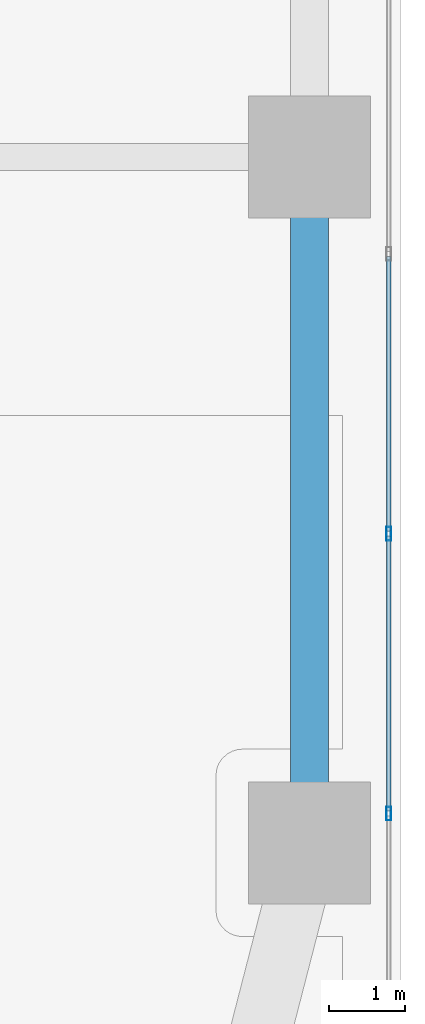
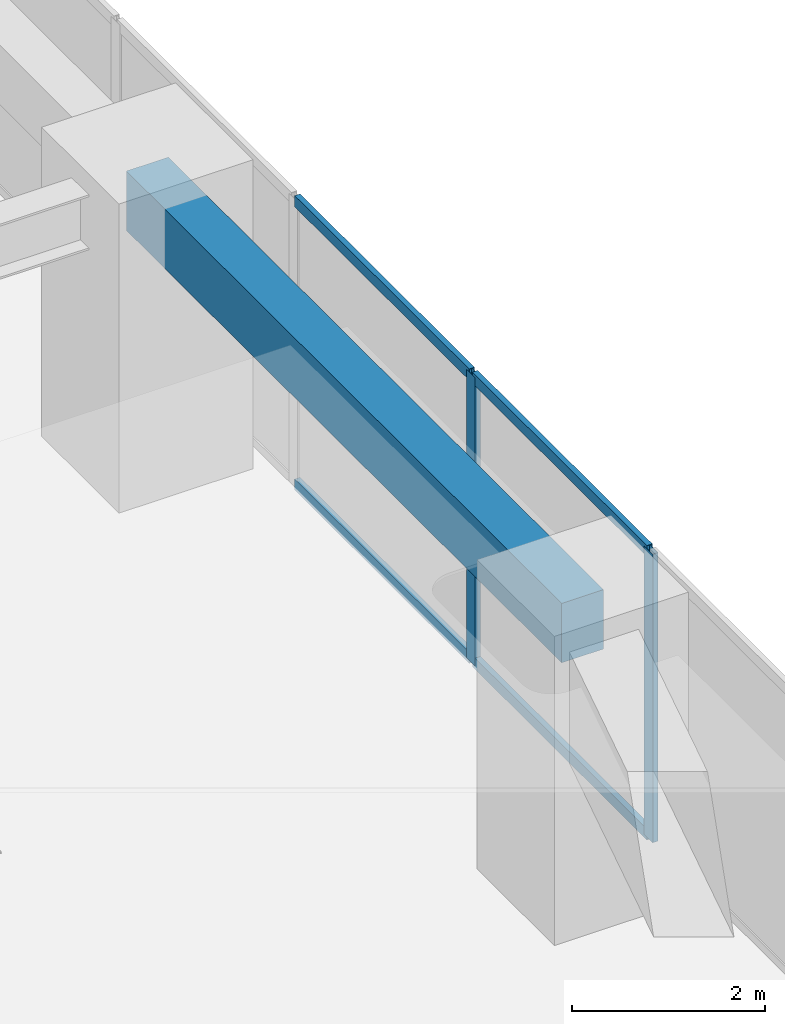
# One storey, part 6 of 28: 6 members, 1 beam, 1 element without a shape of its own.
"""IFC4 building model written with IfcOpenShell, lengths in metres."""

from ifc_helpers import new_model, si_unit, direction, frame, origin, origin_2d, place, context, subcontext, project, spatial, rectangle, hollow_rectangle, extrude, material, layer, layer_set, material_profile, profile_set, type_object, element, aggregate, save


model = new_model("IFC4")

# Units and contexts
model_context = context("Model", 3, precision=1e-05, world=origin(), true_north=direction((0.0, 1.0)))
body_context = subcontext(model_context, "Body", "Model", "MODEL_VIEW")
ifc_project = project(units=[si_unit("LENGTHUNIT", "METRE"), si_unit("AREAUNIT", "SQUARE_METRE"), si_unit("VOLUMEUNIT", "CUBIC_METRE"), si_unit("PLANEANGLEUNIT", "RADIAN"), si_unit("MASSUNIT", "GRAM", prefix="KILO")], contexts=[model_context])

# Site, building, storey
site_placement = place(None, origin())
site = spatial("IfcSite", under=ifc_project, at=site_placement, CompositionType="ELEMENT")
building_placement = place(site_placement, origin())
building = spatial("IfcBuilding", under=site, at=building_placement, Name="Kiyonajd Concourse Tower", CompositionType="ELEMENT")
storey_placement = place(building_placement, frame((0.0, 0.0, 60.60009765625)))
storey = spatial("IfcBuildingStorey", under=building, at=storey_placement, Name="L16", CompositionType="ELEMENT", Elevation=60.60009765625)

# Beam
ifc_material_1 = material(Name="Precast concrete C50/60", Category="concrete")
ifc_material_profile_1 = material_profile(ifc_material_1, rectangle(XDim=0.5, YDim=0.75, at=origin_2d()), Name="RCBM-500x750")
ifc_profile_set_1 = profile_set([ifc_material_profile_1], Name="Precast concrete C50/60")
beam_type = type_object("IfcBeamType", Name="BM-SPAN-RC", PredefinedType="SPANDREL", material=ifc_profile_set_1)
beam_placement = place(storey_placement, frame((78.0, 18.60009765625, 3.264892578125), z_axis=(0.0, 1.0, 0.0), x_axis=(-1.0, 0.0, 0.0)))
element("IfcBeam", 1, at=beam_placement, inside=storey, type_object=beam_type, Name="L16 Perimeter Bundled Tube Spandrel", PredefinedType="SPANDREL", context=body_context, shape_type="SweptSolid", body=[
    extrude(rectangle(XDim=0.5, YDim=0.75, at=origin_2d()), origin(), (0.0, 0.0, 1.0), 9.0),
])

# Curtain wall, members
ifc_material_2 = material(Name="Thermally Broken Anodised Aluminium", Category="aluminium")
ifc_layer = layer(ifc_material_2, 0.179931640625)
ifc_layer_set = layer_set([ifc_layer], Name="Thermally Broken Anodised Aluminium")
curtain_wall_type = type_object("IfcCurtainWallType", Name="CW-SYS-02", PredefinedType="NOTDEFINED", material=ifc_layer_set)
curtain_wall_placement = place(storey_placement, origin())
curtain_wall = element("IfcCurtainWall", 2, at=curtain_wall_placement, inside=storey, type_object=curtain_wall_type, Name="L16 Unitised Curtain Wall CW2", PredefinedType="NOTDEFINED")
ifc_material_profile_2 = material_profile(ifc_material_2, hollow_rectangle(XDim=0.06494140625, YDim=0.179931640625, WallThickness=0.00390625, at=origin_2d()), Name="MULL-65x180")
ifc_profile_set_2 = profile_set([ifc_material_profile_2], Name="Thermally Broken Anodised Aluminium")
member_type_1 = type_object("IfcMemberType", Name="MB-CW-MULL1", PredefinedType="MULLION", material=ifc_profile_set_2)
member_1_placement = place(storey_placement, frame((79.0400390625, 22.657470703125, 0.0), z_axis=(0.0, 0.0, 1.0), x_axis=(1.0, 0.0, 0.0)))
member_1 = element("IfcMember", 3, at=member_1_placement, type_object=member_type_1, Name="CW2 mullion 5", PredefinedType="MULLION", context=body_context, shape_type="SweptSolid", body=[
    extrude(hollow_rectangle(XDim=0.06494140625, YDim=0.179931640625, WallThickness=0.00390625, at=origin_2d()), origin(), (0.0, 0.0, 1.0), 3.639892578125),
])
member_2_placement = place(storey_placement, frame((79.0400390625, 18.984130859375, 0.0), z_axis=(0.0, 0.0, 1.0), x_axis=(1.0, 0.0, 0.0)))
member_2 = element("IfcMember", 4, at=member_2_placement, type_object=member_type_1, Name="CW2 mullion 6", PredefinedType="MULLION", context=body_context, shape_type="SweptSolid", body=[
    extrude(hollow_rectangle(XDim=0.06494140625, YDim=0.179931640625, WallThickness=0.00390625, at=origin_2d()), origin(), (0.0, 0.0, 1.0), 3.639892578125),
])
ifc_material_profile_3 = material_profile(ifc_material_2, hollow_rectangle(XDim=0.06494140625, YDim=0.139892578125, WallThickness=0.00390625, at=origin_2d()), Name="TRAN-65x140")
ifc_profile_set_3 = profile_set([ifc_material_profile_3], Name="Thermally Broken Anodised Aluminium")
member_type_2 = type_object("IfcMemberType", Name="MB-CW-TRAN1", PredefinedType="USERDEFINED", material=ifc_profile_set_3)
member_3_placement = place(storey_placement, frame((79.0400390625, 26.298095703125, 0.032470703125), z_axis=(0.0, -1.0, 0.0), x_axis=(1.0, 0.0, 0.0)))
member_3 = element("IfcMember", 5, at=member_3_placement, type_object=member_type_2, Name="CW2 transom 4.1", ObjectType="TRANSOM", PredefinedType="USERDEFINED", context=body_context, shape_type="SweptSolid", body=[
    extrude(hollow_rectangle(XDim=0.06494140625, YDim=0.139892578125, WallThickness=0.00390625, at=origin_2d()), origin(), (0.0, 0.0, 1.0), 3.608154296875),
])
member_4_placement = place(storey_placement, frame((79.0400390625, 26.298095703125, 3.607421875), z_axis=(0.0, -1.0, 0.0), x_axis=(1.0, 0.0, 0.0)))
member_4 = element("IfcMember", 6, at=member_4_placement, type_object=member_type_2, Name="CW2 transom 4.2", ObjectType="TRANSOM", PredefinedType="USERDEFINED", context=body_context, shape_type="SweptSolid", body=[
    extrude(hollow_rectangle(XDim=0.06494140625, YDim=0.139892578125, WallThickness=0.00390625, at=origin_2d()), origin(), (0.0, 0.0, 1.0), 3.608154296875),
])
member_5_placement = place(storey_placement, frame((79.0400390625, 22.625, 0.032470703125), z_axis=(0.0, -1.0, 0.0), x_axis=(1.0, 0.0, 0.0)))
member_5 = element("IfcMember", 7, at=member_5_placement, type_object=member_type_2, Name="CW2 transom 5.1", ObjectType="TRANSOM", PredefinedType="USERDEFINED", context=body_context, shape_type="SweptSolid", body=[
    extrude(hollow_rectangle(XDim=0.06494140625, YDim=0.139892578125, WallThickness=0.00390625, at=origin_2d()), origin(), (0.0, 0.0, 1.0), 3.608154296875),
])
member_6_placement = place(storey_placement, frame((79.0400390625, 22.625, 3.607421875), z_axis=(0.0, -1.0, 0.0), x_axis=(1.0, 0.0, 0.0)))
member_6 = element("IfcMember", 8, at=member_6_placement, type_object=member_type_2, Name="CW2 transom 5.2", ObjectType="TRANSOM", PredefinedType="USERDEFINED", context=body_context, shape_type="SweptSolid", body=[
    extrude(hollow_rectangle(XDim=0.06494140625, YDim=0.139892578125, WallThickness=0.00390625, at=origin_2d()), origin(), (0.0, 0.0, 1.0), 3.608154296875),
])
aggregate(curtain_wall, [member_1, member_2, member_3, member_4, member_5, member_6])

save(model, "model.ifc")
